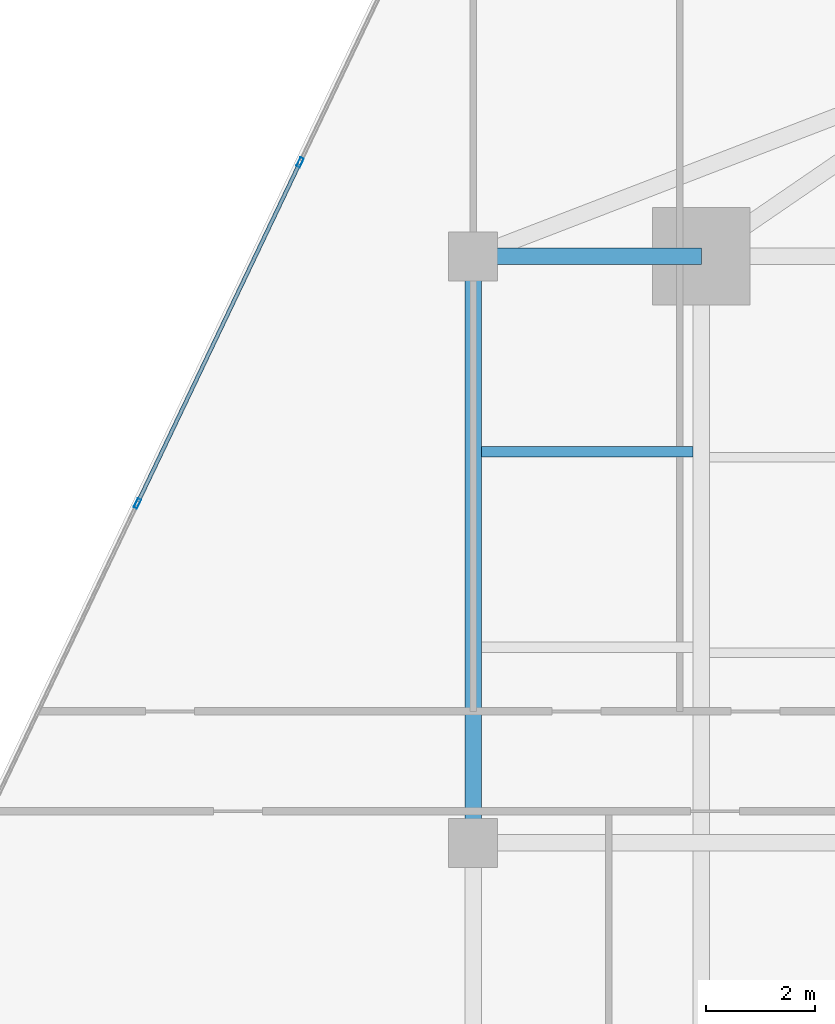
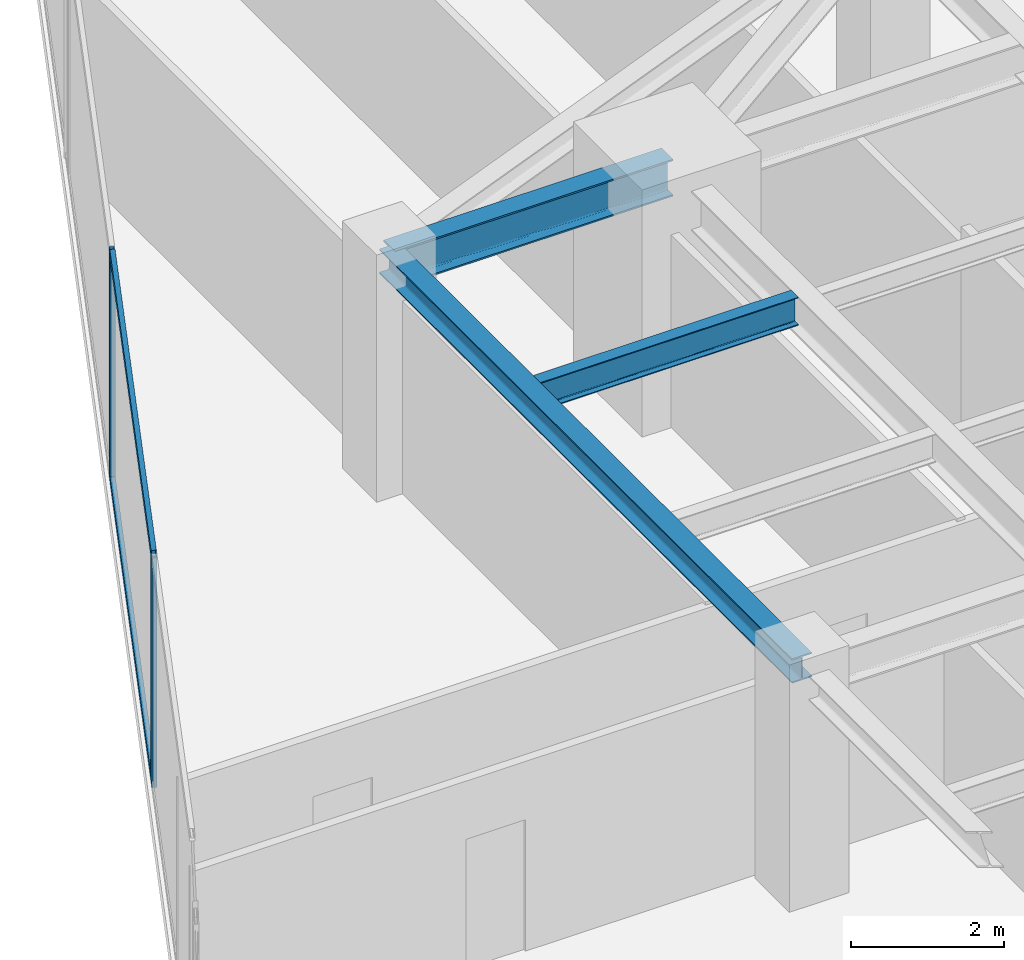
# One storey, part 13 of 25: 4 members, 3 beams, 1 element without a shape of its own.
"""IFC4 building model written with IfcOpenShell, lengths in metres."""

from ifc_helpers import new_model, si_unit, direction, frame, origin, origin_2d, place, context, subcontext, project, spatial, hollow_rectangle, i_section, extrude, source, transform, mapped, material, material_profile, profile_set, type_object, type_shapes, element, aggregate, save


model = new_model("IFC4")

# Units and contexts
model_context = context("Model", 3, precision=1e-05, world=origin(), true_north=direction((0.0, 1.0)))
body_context = subcontext(model_context, "Body", "Model", "MODEL_VIEW")
ifc_project = project(units=[si_unit("LENGTHUNIT", "METRE"), si_unit("AREAUNIT", "SQUARE_METRE"), si_unit("VOLUMEUNIT", "CUBIC_METRE"), si_unit("PLANEANGLEUNIT", "RADIAN"), si_unit("MASSUNIT", "GRAM", prefix="KILO")], contexts=[model_context])

# Site, building, storey
site_placement = place(None, origin())
site = spatial("IfcSite", under=ifc_project, at=site_placement, CompositionType="ELEMENT")
building_placement = place(site_placement, origin())
building = spatial("IfcBuilding", under=site, at=building_placement, Name="Krantzveldt Concourse Tower", CompositionType="ELEMENT")
storey_placement = place(building_placement, frame((0.0, 0.0, 146.199951171875)))
storey = spatial("IfcBuildingStorey", under=building, at=storey_placement, Name="L35", CompositionType="ELEMENT", Elevation=146.199951171875)

# Beams
ifc_material_1 = material(Name="Steel S355JR", Category="steel")
ifc_material_profile_1 = material_profile(ifc_material_1, i_section(OverallWidth=0.300048828125, OverallDepth=0.590087890625, WebThickness=0.012939453125, FlangeThickness=0.02490234375, FilletRadius=0.027099609375, at=origin_2d()), Name="Steel S355JR", Category="steel")
ifc_profile_set_1 = profile_set([ifc_material_profile_1], Name="Steel S355JR - HEA 600")
beam_type_1 = type_object("IfcBeamType", Name="BM-B-HEA600", PredefinedType="BEAM", material=ifc_profile_set_1)
shared_shape_1 = source(origin(), body_context, "Body", "SweptSolid", [
    extrude(i_section(OverallWidth=0.300048828125, OverallDepth=0.590087890625, WebThickness=0.012939453125, FlangeThickness=0.02490234375, FilletRadius=0.027099609375, at=origin_2d()), origin(), (0.0, 0.0, 1.0), 4.199951171875),
])
type_shapes(beam_type_1, [shared_shape_1])
beam_1_placement = place(storey_placement, frame((21.0, 37.5, 3.375), z_axis=(1.0, 0.0, 0.0), x_axis=(0.0, 1.0, 0.0)))
element("IfcBeam", 1, at=beam_1_placement, inside=storey, type_object=beam_type_1, Name="L35 Tower Girder BR-RL3", PredefinedType="BEAM", context=body_context, shape_type="MappedRepresentation", body=[
    mapped(shared_shape_1, transform((0.0, 0.0, 0.0), x_axis=(1.0, 0.0, 0.0), y_axis=(0.0, 1.0, 0.0), z_axis=(0.0, 0.0, 1.0), scale=1.0)),
])
ifc_material_profile_2 = material_profile(ifc_material_1, i_section(OverallWidth=0.300048828125, OverallDepth=0.389892578125, WebThickness=0.010986328125, FlangeThickness=0.01904296875, FilletRadius=0.027099609375, at=origin_2d()), Name="Steel S355JR", Category="steel")
ifc_profile_set_2 = profile_set([ifc_material_profile_2], Name="Steel S355JR - HEA 400")
beam_type_2 = type_object("IfcBeamType", Name="BM-SP-HEA400", PredefinedType="SPANDREL", material=ifc_profile_set_2)
shared_shape_2 = source(origin(), body_context, "Body", "SweptSolid", [
    extrude(i_section(OverallWidth=0.300048828125, OverallDepth=0.389892578125, WebThickness=0.010986328125, FlangeThickness=0.01904296875, FilletRadius=0.027099609375, at=origin_2d()), origin(), (0.0, 0.0, 1.0), 10.800048828125),
])
type_shapes(beam_type_2, [shared_shape_2])
beam_2_placement = place(storey_placement, frame((21.0, 26.699951171875, 3.47509765625), z_axis=(0.0, 1.0, 0.0), x_axis=(-1.0, 0.0, 0.0)))
element("IfcBeam", 2, at=beam_2_placement, inside=storey, type_object=beam_type_2, Name="L35 Tower Girder SP-R02", PredefinedType="SPANDREL", context=body_context, shape_type="MappedRepresentation", body=[
    mapped(shared_shape_2, transform((0.0, 0.0, 0.0), x_axis=(1.0, 0.0, 0.0), y_axis=(0.0, 1.0, 0.0), z_axis=(0.0, 0.0, 1.0), scale=1.0)),
])
ifc_material_profile_3 = material_profile(ifc_material_1, i_section(OverallWidth=0.18994140625, OverallDepth=0.449951171875, WebThickness=0.009521484375, FlangeThickness=0.0146484375, FilletRadius=0.02099609375, at=origin_2d()), Name="Steel S355JR", Category="steel")
ifc_profile_set_3 = profile_set([ifc_material_profile_3], Name="Steel S355JR - IPE 450")
beam_type_3 = type_object("IfcBeamType", Name="BM-J-IPE450", PredefinedType="JOIST", material=ifc_profile_set_3)
shared_shape_3 = source(origin(), body_context, "Body", "SweptSolid", [
    extrude(i_section(OverallWidth=0.18994140625, OverallDepth=0.449951171875, WebThickness=0.009521484375, FlangeThickness=0.0146484375, FilletRadius=0.02099609375, at=origin_2d()), origin(), (0.0, 0.0, 1.0), 3.900146484375),
])
type_shapes(beam_type_3, [shared_shape_3])
beam_3_placement = place(storey_placement, frame((21.14990234375, 33.89990234375, 3.445068359375), z_axis=(1.0, 0.0, 0.0), x_axis=(0.0, 1.0, 0.0)))
element("IfcBeam", 3, at=beam_3_placement, inside=storey, type_object=beam_type_3, Name="L35 Secondary Floor Joist JW-4", PredefinedType="JOIST", context=body_context, shape_type="MappedRepresentation", body=[
    mapped(shared_shape_3, transform((0.0, 0.0, 0.0), x_axis=(1.0, 0.0, 0.0), y_axis=(0.0, 1.0, 0.0), z_axis=(0.0, 0.0, 1.0), scale=1.0)),
])

# Curtain wall, members
ifc_material_2 = material(Name="Anodised aluminium 6063-T6", Category="aluminium")
curtain_wall_type = type_object("IfcCurtainWallType", Name="CW3", PredefinedType="USERDEFINED", material=ifc_material_2)
curtain_wall_placement = place(storey_placement, origin())
curtain_wall = element("IfcCurtainWall", 4, at=curtain_wall_placement, inside=storey, type_object=curtain_wall_type, Name="CW-L35-F01", ObjectType="UNITISED CURTAIN WALL", PredefinedType="USERDEFINED")
ifc_material_profile_4 = material_profile(ifc_material_2, hollow_rectangle(XDim=0.070068359375, YDim=0.179931640625, WallThickness=0.0048828125, at=origin_2d()), Name="Anodised aluminium 6063-T6", Category="aluminium")
ifc_profile_set_4 = profile_set([ifc_material_profile_4], Name="Anodised aluminium 6063-T6 - ALU-MULL 180x70x5")
member_type_1 = type_object("IfcMemberType", Name="CW-MUL-180", PredefinedType="MULLION", material=ifc_profile_set_4)
shared_shape_4 = source(origin(), body_context, "Body", "SweptSolid", [
    extrude(hollow_rectangle(XDim=0.070068359375, YDim=0.179931640625, WallThickness=0.0048828125, at=origin_2d()), origin(), (0.0, 0.0, 1.0), 3.670166015625),
])
type_shapes(member_type_1, [shared_shape_4])
member_1_placement = place(storey_placement, frame((17.812744140625, 39.23046875, 0.0), z_axis=(0.0, 0.0, 1.0), x_axis=(0.902585252784, -0.430511162987, 0.0)))
member_1 = element("IfcMember", 5, at=member_1_placement, type_object=member_type_1, Name="CW-Z34 mullion 3", PredefinedType="MULLION", context=body_context, shape_type="MappedRepresentation", body=[
    mapped(shared_shape_4, transform((0.0, 0.0, 0.0), x_axis=(1.0, 0.0, 0.0), y_axis=(0.0, 1.0, 0.0), z_axis=(0.0, 0.0, 1.0), scale=1.0)),
])
member_2_placement = place(storey_placement, frame((14.81640625, 32.948486328125, 0.0), z_axis=(0.0, 0.0, 1.0), x_axis=(0.902585252784, -0.430511162987, 0.0)))
member_2 = element("IfcMember", 6, at=member_2_placement, type_object=member_type_1, Name="CW-Z34 mullion 4", PredefinedType="MULLION", context=body_context, shape_type="MappedRepresentation", body=[
    mapped(shared_shape_4, transform((0.0, 0.0, 0.0), x_axis=(1.0, 0.0, 0.0), y_axis=(0.0, 1.0, 0.0), z_axis=(0.0, 0.0, 1.0), scale=1.0)),
])
ifc_material_profile_5 = material_profile(ifc_material_2, hollow_rectangle(XDim=0.070068359375, YDim=0.139892578125, WallThickness=0.0048828125, at=origin_2d()), Name="Anodised aluminium 6063-T6", Category="aluminium")
ifc_profile_set_5 = profile_set([ifc_material_profile_5], Name="Anodised aluminium 6063-T6 - ALU-TRAN 140x70x5")
member_type_2 = type_object("IfcMemberType", Name="CW-TRN-150", PredefinedType="USERDEFINED", material=ifc_profile_set_5)
shared_shape_5 = source(origin(), body_context, "Body", "SweptSolid", [
    extrude(hollow_rectangle(XDim=0.070068359375, YDim=0.139892578125, WallThickness=0.0048828125, at=origin_2d()), origin(), (0.0, 0.0, 1.0), 6.889892578125),
])
type_shapes(member_type_2, [shared_shape_5])
member_3_placement = place(storey_placement, frame((17.797607421875, 39.19873046875, 0.03515625), z_axis=(-0.430496063592, -0.902592454673, 0.0), x_axis=(0.902592454673, -0.430496063592, 0.0)))
member_3 = element("IfcMember", 7, at=member_3_placement, type_object=member_type_2, Name="CW-Z34 transom 3.1", ObjectType="TRANSOM", PredefinedType="USERDEFINED", context=body_context, shape_type="MappedRepresentation", body=[
    mapped(shared_shape_5, transform((0.0, 0.0, 0.0), x_axis=(1.0, 0.0, 0.0), y_axis=(0.0, 1.0, 0.0), z_axis=(0.0, 0.0, 1.0), scale=1.0)),
])
member_4_placement = place(storey_placement, frame((17.797607421875, 39.19873046875, 3.635009765625), z_axis=(-0.430496063592, -0.902592454673, 0.0), x_axis=(0.902592454673, -0.430496063592, 0.0)))
member_4 = element("IfcMember", 8, at=member_4_placement, type_object=member_type_2, Name="CW-Z34 transom 3.2", ObjectType="TRANSOM", PredefinedType="USERDEFINED", context=body_context, shape_type="MappedRepresentation", body=[
    mapped(shared_shape_5, transform((0.0, 0.0, 0.0), x_axis=(1.0, 0.0, 0.0), y_axis=(0.0, 1.0, 0.0), z_axis=(0.0, 0.0, 1.0), scale=1.0)),
])
aggregate(curtain_wall, [member_1, member_2, member_3, member_4])

save(model, "model.ifc")
